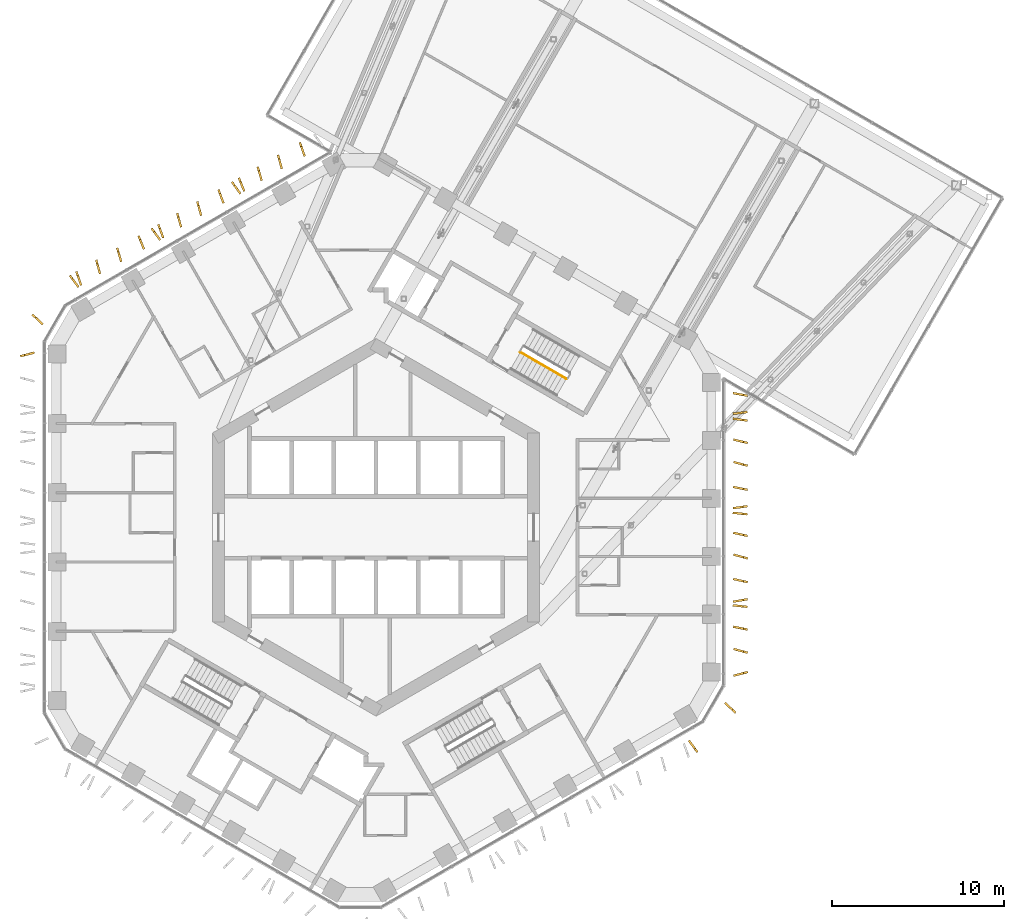
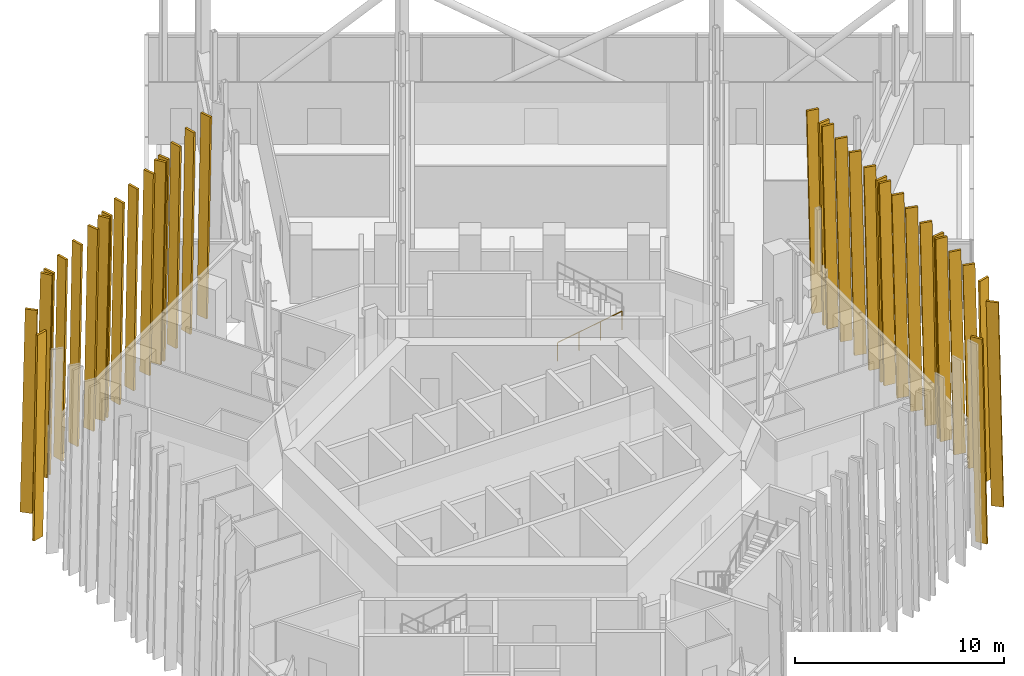
# One storey, part 30 of 31: 35 shading devices, 1 railing.
"""IFC4 building model written with IfcOpenShell, lengths in metres."""

from ifc_helpers import new_model, si_unit, direction, frame, origin, origin_2d, place, context, subcontext, project, spatial, polyline, circle, outline, extrude, material, layer, layer_set, type_object, element, save


model = new_model("IFC4")

# Units and contexts
model_context = context("Model", 3, precision=1e-05, world=origin(), true_north=direction((0.0, 1.0)))
body_context = subcontext(model_context, "Body", "Model", "MODEL_VIEW")
ifc_project = project(units=[si_unit("LENGTHUNIT", "METRE"), si_unit("AREAUNIT", "SQUARE_METRE"), si_unit("VOLUMEUNIT", "CUBIC_METRE"), si_unit("PLANEANGLEUNIT", "RADIAN"), si_unit("MASSUNIT", "GRAM", prefix="KILO")], contexts=[model_context])

# Site, building, storey
site_placement = place(None, origin())
site = spatial("IfcSite", under=ifc_project, at=site_placement, CompositionType="ELEMENT")
building_placement = place(site_placement, origin())
building = spatial("IfcBuilding", under=site, at=building_placement, Name="Ayvan Gate Tower", CompositionType="ELEMENT")
storey_placement = place(building_placement, frame((0.0, 0.0, 135.89990234375)))
storey = spatial("IfcBuildingStorey", under=building, at=storey_placement, Name="L36", CompositionType="ELEMENT", Elevation=135.89990234375)

# Shading devices
ifc_material_1 = material(Name="Bronze anodised aluminium", Category="aluminium")
ifc_layer = layer(ifc_material_1, 0.1201171875)
ifc_layer_set = layer_set([ifc_layer], Name="Bronze anodised aluminium")
shading_device_type = type_object("IfcShadingDeviceType", Name="Bronze fin 600 x 120", PredefinedType="USERDEFINED", material=ifc_layer_set)
shading_device_1_placement = place(storey_placement, frame((-4.1708984375, 21.812255859375, 0.0), z_axis=(0.943132958189, 0.332415714771, 0.000125504458), x_axis=(-0.332415717389, 0.943132965616, 0.0)))
element("IfcShadingDevice", 1, at=shading_device_1_placement, inside=storey, type_object=shading_device_type, Name="Bronze fin FG13.1.2", ObjectType="FIN", PredefinedType="USERDEFINED", context=body_context, shape_type="SweptSolid", body=[
    extrude(outline(polyline([(0.0, 0.0), (0.600040492042501, 0.0), (0.35050599634094926, 11.880127046689134), (-0.2495344957015517, 11.880127046689134), (0.0, 0.0)])), origin(), (0.0, 0.0, -1.0), 0.1201171875),
])
shading_device_2_placement = place(storey_placement, frame((-5.48046875, 21.07763671875, 0.0), z_axis=(0.964829518608, 0.262876368208, 0.000122720215), x_axis=(-0.262876370187, 0.964829525873, 0.0)))
element("IfcShadingDevice", 2, at=shading_device_2_placement, inside=storey, type_object=shading_device_type, Name="Bronze fin FG13.1.4", ObjectType="FIN", PredefinedType="USERDEFINED", context=body_context, shape_type="SweptSolid", body=[
    extrude(outline(polyline([(0.0, 0.0), (0.5999582375456302, -3.3881317890172014e-21), (0.35035177833610626, 11.880127042583853), (-0.2496064592095238, 11.880127042583853), (0.0, 0.0)])), origin(), (0.0, 0.0, -1.0), 0.1201171875),
])
shading_device_3_placement = place(storey_placement, frame((-6.653076171875, 20.393798828125, 0.0), z_axis=(0.959297431634, 0.282397632048, 0.000122778002), x_axis=(-0.282397634178, 0.959297438864, 7.056e-09)))
element("IfcShadingDevice", 3, at=shading_device_3_placement, inside=storey, type_object=shading_device_type, Name="Bronze fin FG13.1.6", ObjectType="FIN", PredefinedType="USERDEFINED", context=body_context, shape_type="SweptSolid", body=[
    extrude(outline(polyline([(0.0, 0.0), (0.5998652396292813, -3.3881317890172014e-21), (0.3503661497608949, 11.880127040196053), (-0.24973329334467148, 11.880127048662603), (0.0, 0.0)])), origin(), (0.0, 0.0, -1.0), 0.1201171875),
])
shading_device_4_placement = place(storey_placement, frame((-7.689208984375, 19.77197265625, 0.0), z_axis=(0.927123593339, 0.374755685523, 0.000137269773), x_axis=(-0.374755689053, 0.927123602074, -1.0464e-08)))
element("IfcShadingDevice", 4, at=shading_device_4_placement, inside=storey, type_object=shading_device_type, Name="Bronze fin FG13.1.8", ObjectType="FIN", PredefinedType="USERDEFINED", context=body_context, shape_type="SweptSolid", body=[
    extrude(outline(polyline([(0.0, 0.0), (0.6001134469590191, 6.776263578034403e-21), (0.3503629709979829, 11.88012706871978), (-0.24952412742537372, 11.880127056162912), (0.0, 0.0)])), origin(), (0.0, 0.0, -1.0), 0.1201171875),
])
shading_device_5_placement = place(storey_placement, frame((-7.97412109375, 19.617919921875, 0.0), z_axis=(0.808031733351, 0.589138947579, 0.000135434571), x_axis=(-0.589138952982, 0.808031740762, 0.0)))
element("IfcShadingDevice", 5, at=shading_device_5_placement, inside=storey, type_object=shading_device_type, Name="Bronze fin FG13.1.9", ObjectType="FIN", PredefinedType="USERDEFINED", context=body_context, shape_type="SweptSolid", body=[
    extrude(outline(polyline([(0.0, 0.0), (0.6000547463554116, 0.0), (0.3504496927023554, 11.880127062080756), (-0.24960505365305616, 11.880127062080756), (0.0, 0.0)])), origin(), (0.0, 0.0, -1.0), 0.1201171875),
])
shading_device_6_placement = place(storey_placement, frame((-8.890625, 19.08349609375, 0.0), z_axis=(0.936988099734, 0.349361252387, 0.000127621008), x_axis=(-0.349361255228, 0.936988107366, -3.3399e-08)))
element("IfcShadingDevice", 6, at=shading_device_6_placement, inside=storey, type_object=shading_device_type, Name="Bronze fin FG13.1.10", ObjectType="FIN", PredefinedType="USERDEFINED", context=body_context, shape_type="SweptSolid", body=[
    extrude(outline(polyline([(0.0, 0.0), (0.6000086836547273, -3.3881317890172014e-21), (0.35023500274818786, 11.880127061569047), (-0.2496302173195918, 11.880127021494442), (0.0, 0.0)])), origin(), (0.0, 0.0, -1.0), 0.1201171875),
])
shading_device_7_placement = place(storey_placement, frame((-10.167724609375, 18.368896484375, 0.0), z_axis=(0.962803240045, 0.27020344522, 0.000138384448), x_axis=(-0.270203447807, 0.962803249264, 0.0)))
element("IfcShadingDevice", 7, at=shading_device_7_placement, inside=storey, type_object=shading_device_type, Name="Bronze fin FG13.1.12", ObjectType="FIN", PredefinedType="USERDEFINED", context=body_context, shape_type="SweptSolid", body=[
    extrude(outline(polyline([(0.0, 0.0), (0.5999530217535013, -3.3881317890172014e-21), (0.35013814432884216, 11.880127066878735), (-0.24981487742465913, 11.880127066878735), (0.0, 0.0)])), origin(), (0.0, 0.0, -1.0), 0.1201171875),
])
shading_device_8_placement = place(storey_placement, frame((-11.333740234375, 17.695556640625, 0.0), z_axis=(0.96280324077, 0.270203445423, 0.000132831676), x_axis=(-0.270203447807, 0.962803249264, 0.0)))
element("IfcShadingDevice", 8, at=shading_device_8_placement, inside=storey, type_object=shading_device_type, Name="Bronze fin FG13.1.14", ObjectType="FIN", PredefinedType="USERDEFINED", context=body_context, shape_type="SweptSolid", body=[
    extrude(outline(polyline([(0.0, 0.0), (0.5999530217535013, -3.3881317890172014e-21), (0.35037320371586955, 11.880127057932992), (-0.2495798180376318, 11.880127057932992), (0.0, 0.0)])), origin(), (0.0, 0.0, -1.0), 0.1201171875),
])
shading_device_9_placement = place(storey_placement, frame((-12.388427734375, 17.06396484375, 0.0), z_axis=(0.936988099734, 0.349361252387, 0.000127621008), x_axis=(-0.349361255228, 0.936988107366, -3.3399e-08)))
element("IfcShadingDevice", 9, at=shading_device_9_placement, inside=storey, type_object=shading_device_type, Name="Bronze fin FG13.1.16", ObjectType="FIN", PredefinedType="USERDEFINED", context=body_context, shape_type="SweptSolid", body=[
    extrude(outline(polyline([(0.0, 0.0), (0.6000086836547273, -3.3881317890172014e-21), (0.35023500274818786, 11.880127061569047), (-0.2496302173195918, 11.880127021494442), (0.0, 0.0)])), origin(), (0.0, 0.0, -1.0), 0.1201171875),
])
shading_device_10_placement = place(storey_placement, frame((-12.6376953125, 16.92529296875, 0.0), z_axis=(0.808031733351, 0.589138947579, 0.000135434571), x_axis=(-0.589138952982, 0.808031740762, 0.0)))
element("IfcShadingDevice", 10, at=shading_device_10_placement, inside=storey, type_object=shading_device_type, Name="Bronze fin FG13.1.17", ObjectType="FIN", PredefinedType="USERDEFINED", context=body_context, shape_type="SweptSolid", body=[
    extrude(outline(polyline([(0.0, 0.0), (0.6000547463554116, 0.0), (0.3504496927023554, 11.880127062080756), (-0.24960505365305616, 11.880127062080756), (0.0, 0.0)])), origin(), (0.0, 0.0, -1.0), 0.1201171875),
])
shading_device_11_placement = place(storey_placement, frame((-13.5185546875, 16.406494140625, 0.0), z_axis=(0.927123595595, 0.374755686435, 0.00011821707), x_axis=(-0.374755689053, 0.927123602074, -9.012e-09)))
element("IfcShadingDevice", 11, at=shading_device_11_placement, inside=storey, type_object=shading_device_type, Name="Bronze fin FG13.1.18", ObjectType="FIN", PredefinedType="USERDEFINED", context=body_context, shape_type="SweptSolid", body=[
    extrude(outline(polyline([(0.0, 0.0), (0.6001134469590192, 3.3881317890172014e-21), (0.3502714951643446, 11.880127039295557), (-0.24961560325901205, 11.880127028481553), (0.0, 0.0)])), origin(), (0.0, 0.0, -1.0), 0.1201171875),
])
shading_device_12_placement = place(storey_placement, frame((-14.813720703125, 15.682373046875, 0.0), z_axis=(0.959281201054, 0.282452759241, 0.000126887701), x_axis=(-0.282452761515, 0.959281208777, 0.0)))
element("IfcShadingDevice", 12, at=shading_device_12_placement, inside=storey, type_object=shading_device_type, Name="Bronze fin FG13.1.20", ObjectType="FIN", PredefinedType="USERDEFINED", context=body_context, shape_type="SweptSolid", body=[
    extrude(outline(polyline([(0.0, 0.0), (0.5998652406197905, 0.0), (0.3501319496685019, 11.880127048762928), (-0.24973329095128857, 11.880127048762928), (0.0, 0.0)])), origin(), (0.0, 0.0, -1.0), 0.1201171875),
])
shading_device_13_placement = place(storey_placement, frame((-16.04150390625, 14.980224609375, 0.0), z_axis=(0.964881107, 0.262686948363, 0.00012850978), x_axis=(-0.262686950529, 0.964881114968, -2.5232e-08)))
element("IfcShadingDevice", 13, at=shading_device_13_placement, inside=storey, type_object=shading_device_type, Name="Bronze fin FG13.1.22", ObjectType="FIN", PredefinedType="USERDEFINED", context=body_context, shape_type="SweptSolid", body=[
    extrude(outline(polyline([(0.0, 0.0), (0.5998940934277807, 0.0), (0.3503511856094991, 11.880127060063684), (-0.249607040374563, 11.880127029789444), (0.0, 0.0)])), origin(), (0.0, 0.0, -1.0), 0.1201171875),
])
shading_device_14_placement = place(storey_placement, frame((-17.1552734375, 14.315673828125, 0.0), z_axis=(0.943132958189, 0.332415714771, 0.000125504458), x_axis=(-0.332415717389, 0.943132965616, 0.0)))
element("IfcShadingDevice", 14, at=shading_device_14_placement, inside=storey, type_object=shading_device_type, Name="Bronze fin FG13.1.24", ObjectType="FIN", PredefinedType="USERDEFINED", context=body_context, shape_type="SweptSolid", body=[
    extrude(outline(polyline([(0.0, 0.0), (0.600040492042501, 0.0), (0.35050599634094926, 11.880127046689134), (-0.2495344957015517, 11.880127046689134), (0.0, 0.0)])), origin(), (0.0, 0.0, -1.0), 0.1201171875),
])
shading_device_15_placement = place(storey_placement, frame((-17.384033203125, 14.189697265625, 0.0), z_axis=(0.79737991674, 0.603477630276, 0.00013467477), x_axis=(-0.603477635746, 0.797379923972, -1.6534e-08)))
element("IfcShadingDevice", 15, at=shading_device_15_placement, inside=storey, type_object=shading_device_type, Name="Bronze fin FG13.1.25", ObjectType="FIN", PredefinedType="USERDEFINED", context=body_context, shape_type="SweptSolid", body=[
    extrude(outline(polyline([(0.0, 0.0), (0.6000541955071905, -6.776263578034403e-21), (0.35025423084050905, 11.880127066652634), (-0.2496052918336804, 11.88012704681376), (0.0, 0.0)])), origin(), (0.0, 0.0, -1.0), 0.1201171875),
])
shading_device_16_placement = place(storey_placement, frame((-19.494140625, 11.998779296875, 0.0), z_axis=(0.690020810459, 0.723789517575, 0.000124026242), x_axis=(-0.723789523142, 0.690020815766, 0.0)))
element("IfcShadingDevice", 16, at=shading_device_16_placement, inside=storey, type_object=shading_device_type, Name="Bronze fin FG13.2.26", ObjectType="FIN", PredefinedType="USERDEFINED", context=body_context, shape_type="SweptSolid", body=[
    extrude(outline(polyline([(0.0, 0.0), (0.6000724768574559, -6.776263578034403e-21), (0.3504084465288136, 11.880127044498082), (-0.24966403032864237, 11.880127044498082), (0.0, 0.0)])), origin(), (0.0, 0.0, -1.0), 0.1201171875),
])
shading_device_17_placement = place(storey_placement, frame((-20.101318359375, 10.1474609375, 0.0), z_axis=(-0.250856245066, 0.968024342273, 0.000130685711), x_axis=(-0.968024350538, -0.250856247211, 2.5737e-08)))
element("IfcShadingDevice", 17, at=shading_device_17_placement, inside=storey, type_object=shading_device_type, Name="Bronze fin FG13.3.27", ObjectType="FIN", PredefinedType="USERDEFINED", context=body_context, shape_type="SweptSolid", body=[
    extrude(outline(polyline([(0.0, 0.0), (0.6000264244286974, 0.0), (0.3502110383430067, 11.880127045560593), (-0.24975414188471146, 11.880127076444504), (0.0, 0.0)])), origin(), (0.0, 0.0, -1.0), 0.1201171875),
])
shading_device_18_placement = place(storey_placement, frame((18.265625, -12.61376953125, 0.0), z_axis=(-0.803939200699, -0.594711479606, 0.000132680055), x_axis=(0.594711484841, -0.803939207776, 0.0)))
element("IfcShadingDevice", 18, at=shading_device_18_placement, inside=storey, type_object=shading_device_type, Name="Bronze fin FG13.7.103", ObjectType="FIN", PredefinedType="USERDEFINED", context=body_context, shape_type="SweptSolid", body=[
    extrude(outline(polyline([(0.0, 0.0), (0.5997689000753704, 6.776263578034403e-21), (0.3500948739568547, 11.880127057693862), (-0.2496740261185157, 11.880127057693862), (0.0, 0.0)])), origin(), (0.0, 0.0, -1.0), 0.1201171875),
])
shading_device_19_placement = place(storey_placement, frame((20.410400390625, -10.40869140625, 0.0), z_axis=(-0.68604979048, -0.727554582074, 0.000122823), x_axis=(0.727554587562, -0.686049795654, 0.0)))
element("IfcShadingDevice", 19, at=shading_device_19_placement, inside=storey, type_object=shading_device_type, Name="Bronze fin FG13.8.104", ObjectType="FIN", PredefinedType="USERDEFINED", context=body_context, shape_type="SweptSolid", body=[
    extrude(outline(polyline([(0.0, 0.0), (0.5999871967857003, 6.776263578034403e-21), (0.35029443542634786, 11.880127042733765), (-0.24969276135935245, 11.880127042733765), (0.0, 0.0)])), origin(), (0.0, 0.0, -1.0), 0.1201171875),
])
shading_device_20_placement = place(storey_placement, frame((21.024169921875, -8.615478515625, 0.0), z_axis=(0.253722048673, -0.967277160697, 0.000128106492), x_axis=(0.967277168633, 0.253722050758, 2.5211e-08)))
element("IfcShadingDevice", 20, at=shading_device_20_placement, inside=storey, type_object=shading_device_type, Name="Bronze fin FG13.9.105", ObjectType="FIN", PredefinedType="USERDEFINED", context=body_context, shape_type="SweptSolid", body=[
    extrude(outline(polyline([(0.0, 0.0), (0.5999854466587461, 0.0), (0.3502257180914049, 11.880127041779442), (-0.24969778470729292, 11.88012707203044), (0.0, 0.0)])), origin(), (0.0, 0.0, -1.0), 0.1201171875),
])
shading_device_21_placement = place(storey_placement, frame((20.99462890625, -7.1884765625, 0.0), z_axis=(-0.257346085072, -0.966319291774, 0.000137272338), x_axis=(0.966319300879, -0.257346087493, 2.6987e-08)))
element("IfcShadingDevice", 21, at=shading_device_21_placement, inside=storey, type_object=shading_device_type, Name="Bronze fin FG13.9.106", ObjectType="FIN", PredefinedType="USERDEFINED", context=body_context, shape_type="SweptSolid", body=[
    extrude(outline(polyline([(0.0, 0.0), (0.6000124675010109, 0.0), (0.35049693649716274, 11.880127055598912), (-0.2495783596384902, 11.880127087985596), (0.0, 0.0)])), origin(), (0.0, 0.0, -1.0), 0.1201171875),
])
shading_device_22_placement = place(storey_placement, frame((20.977783203125, -5.87890625, 0.0), z_axis=(-0.194864236442, -0.980830217249, 0.000119525485), x_axis=(0.980830224256, -0.194864237834, 0.0)))
element("IfcShadingDevice", 22, at=shading_device_22_placement, inside=storey, type_object=shading_device_type, Name="Bronze fin FG13.9.108", ObjectType="FIN", PredefinedType="USERDEFINED", context=body_context, shape_type="SweptSolid", body=[
    extrude(outline(polyline([(0.0, 0.0), (0.6001273536628028, 0.0), (0.3504352019391394, 11.880127037986778), (-0.2496921517236635, 11.880127037986778), (0.0, 0.0)])), origin(), (0.0, 0.0, -1.0), 0.1201171875),
])
shading_device_23_placement = place(storey_placement, frame((20.964111328125, -4.61572265625, 0.0), z_axis=(-0.109046993802, -0.994036589024, 0.000113243361), x_axis=(0.994036595398, -0.109046994501, 0.0)))
element("IfcShadingDevice", 23, at=shading_device_23_placement, inside=storey, type_object=shading_device_type, Name="Bronze fin FG13.9.110", ObjectType="FIN", PredefinedType="USERDEFINED", context=body_context, shape_type="SweptSolid", body=[
    extrude(outline(polyline([(0.0, 0.0), (0.6000136711629395, 0.0), (0.3503311322759983, 11.880127029300725), (-0.2496825388869411, 11.880127029300725), (0.0, 0.0)])), origin(), (0.0, 0.0, -1.0), 0.1201171875),
])
shading_device_24_placement = place(storey_placement, frame((20.99267578125, -4.337646484375, 0.0), z_axis=(0.168619425133, -0.985681223397, 0.000123735153), x_axis=(0.985681230942, 0.168619426427, 2.4807e-08)))
element("IfcShadingDevice", 24, at=shading_device_24_placement, inside=storey, type_object=shading_device_type, Name="Bronze fin FG13.9.111", ObjectType="FIN", PredefinedType="USERDEFINED", context=body_context, shape_type="SweptSolid", body=[
    extrude(outline(polyline([(0.0, 0.0), (0.6001666710302209, 0.0), (0.3504814661673244, 11.880127035375416), (-0.24964403801074145, 11.88012706515062), (0.0, 0.0)])), origin(), (0.0, 0.0, -1.0), 0.1201171875),
])
shading_device_25_placement = place(storey_placement, frame((20.983154296875, -3.11474609375, 0.0), z_axis=(-0.217275095847, -0.976110402503, 0.000121861475), x_axis=(0.976110409751, -0.21727509746, 0.0)))
element("IfcShadingDevice", 25, at=shading_device_25_placement, inside=storey, type_object=shading_device_type, Name="Bronze fin FG13.9.112", ObjectType="FIN", PredefinedType="USERDEFINED", context=body_context, shape_type="SweptSolid", body=[
    extrude(outline(polyline([(0.0, 0.0), (0.6000277771083138, 0.0), (0.35034008161457264, 11.880127041336245), (-0.24968769549374112, 11.880127041336245), (0.0, 0.0)])), origin(), (0.0, 0.0, -1.0), 0.1201171875),
])
shading_device_26_placement = place(storey_placement, frame((20.9951171875, -1.708984375, 0.0), z_axis=(-0.258776759315, -0.965937148763, 0.000116091849), x_axis=(0.965937155273, -0.258776761059, 0.0)))
element("IfcShadingDevice", 26, at=shading_device_26_placement, inside=storey, type_object=shading_device_type, Name="Bronze fin FG13.9.114", ObjectType="FIN", PredefinedType="USERDEFINED", context=body_context, shape_type="SweptSolid", body=[
    extrude(outline(polyline([(0.0, 0.0), (0.6000285221314199, 0.0), (0.3504475258949566, 11.880127033181124), (-0.24958099623646332, 11.880127033181124), (0.0, 0.0)])), origin(), (0.0, 0.0, -1.0), 0.1201171875),
])
shading_device_27_placement = place(storey_placement, frame((20.982177734375, -0.427978515625, 0.0), z_axis=(-0.21341776613, -0.976961022837, 0.000130223773), x_axis=(0.97696103112, -0.213417767943, -2.5882e-08)))
element("IfcShadingDevice", 27, at=shading_device_27_placement, inside=storey, type_object=shading_device_type, Name="Bronze fin FG13.9.116", ObjectType="FIN", PredefinedType="USERDEFINED", context=body_context, shape_type="SweptSolid", body=[
    extrude(outline(polyline([(0.0, 0.0), (0.6000311923555126, 0.0), (0.35026865175354804, 11.880127062923753), (-0.24971043665471282, 11.880127031864664), (0.0, 0.0)])), origin(), (0.0, 0.0, -1.0), 0.1201171875),
])
shading_device_28_placement = place(storey_placement, frame((20.963623046875, 0.76025390625, 0.0), z_axis=(-0.10294773958, -0.994686756534, 0.00013889027), x_axis=(0.994686766128, -0.102947740573, 2.908e-09)))
element("IfcShadingDevice", 28, at=shading_device_28_placement, inside=storey, type_object=shading_device_type, Name="Bronze fin FG13.9.118", ObjectType="FIN", PredefinedType="USERDEFINED", context=body_context, shape_type="SweptSolid", body=[
    extrude(outline(polyline([(0.0, 0.0), (0.6001110648312582, 0.0), (0.3503243347123957, 11.880127066692925), (-0.24954388667010058, 11.880127070183049), (0.0, 0.0)])), origin(), (0.0, 0.0, -1.0), 0.1201171875),
])
shading_device_29_placement = place(storey_placement, frame((20.985107421875, 1.085205078125, 0.0), z_axis=(0.141990922758, -0.989867951488, 0.000128340139), x_axis=(0.98986795964, 0.141990923927, 0.0)))
element("IfcShadingDevice", 29, at=shading_device_29_placement, inside=storey, type_object=shading_device_type, Name="Bronze fin FG13.9.119", ObjectType="FIN", PredefinedType="USERDEFINED", context=body_context, shape_type="SweptSolid", body=[
    extrude(outline(polyline([(0.0, 0.0), (0.6000741157849752, -3.3881317890172014e-21), (0.35044692302583713, 11.880127050964923), (-0.2496271927591379, 11.880127050964923), (0.0, 0.0)])), origin(), (0.0, 0.0, -1.0), 0.1201171875),
])
shading_device_30_placement = place(storey_placement, frame((20.978271484375, 2.240478515625, 0.0), z_axis=(-0.196546519958, -0.980494492422, 0.000125789034), x_axis=(0.980494500179, -0.196546521514, -5.031e-09)))
element("IfcShadingDevice", 30, at=shading_device_30_placement, inside=storey, type_object=shading_device_type, Name="Bronze fin FG13.9.120", ObjectType="FIN", PredefinedType="USERDEFINED", context=body_context, shape_type="SweptSolid", body=[
    extrude(outline(polyline([(0.0, 0.0), (0.5998396535209556, 0.0), (0.3502887820702755, 11.88012704887634), (-0.2497902499907628, 11.880127042839149), (0.0, 0.0)])), origin(), (0.0, 0.0, -1.0), 0.1201171875),
])
shading_device_31_placement = place(storey_placement, frame((20.99462890625, 3.673095703125, 0.0), z_axis=(-0.256776062862, -0.966470918064, 0.000134454757), x_axis=(0.9664709268, -0.256776065183, 0.0)))
element("IfcShadingDevice", 31, at=shading_device_31_placement, inside=storey, type_object=shading_device_type, Name="Bronze fin FG13.9.122", ObjectType="FIN", PredefinedType="USERDEFINED", context=body_context, shape_type="SweptSolid", body=[
    extrude(outline(polyline([(0.0, 0.0), (0.5999497432323829, 0.0), (0.3501988725571957, 11.880127060509956), (-0.24975087067518717, 11.880127060509956), (0.0, 0.0)])), origin(), (0.0, 0.0, -1.0), 0.1201171875),
])
shading_device_32_placement = place(storey_placement, frame((20.987060546875, 4.982177734375, 0.0), z_axis=(-0.23112539109, -0.972923961437, 0.000137314973), x_axis=(0.972923970609, -0.231125393269, 0.0)))
element("IfcShadingDevice", 32, at=shading_device_32_placement, inside=storey, type_object=shading_device_type, Name="Bronze fin FG13.9.124", ObjectType="FIN", PredefinedType="USERDEFINED", context=body_context, shape_type="SweptSolid", body=[
    extrude(outline(polyline([(0.0, 0.0), (0.5999854582772782, 0.0), (0.35016858880705026, 11.880127065127283), (-0.24981686947022802, 11.880127065127283), (0.0, 0.0)])), origin(), (0.0, 0.0, -1.0), 0.1201171875),
])
shading_device_33_placement = place(storey_placement, frame((20.96630859375, 6.220458984375, 0.0), z_axis=(-0.128190847667, -0.991749510365, 0.000123555912), x_axis=(0.991749517935, -0.128190848646, 0.0)))
element("IfcShadingDevice", 33, at=shading_device_33_placement, inside=storey, type_object=shading_device_type, Name="Bronze fin FG13.9.126", ObjectType="FIN", PredefinedType="USERDEFINED", context=body_context, shape_type="SweptSolid", body=[
    extrude(outline(polyline([(0.0, 0.0), (0.599920335090331, 1.6940658945086007e-21), (0.35035871206000824, 11.880127043806388), (-0.24956162303032275, 11.880127043806388), (0.0, 0.0)])), origin(), (0.0, 0.0, -1.0), 0.1201171875),
])
shading_device_34_placement = place(storey_placement, frame((20.979736328125, 6.567138671875, 0.0), z_axis=(0.119626545911, -0.992818952457, 0.000130979063), x_axis=(0.992818960973, 0.119626546937, 0.0)))
element("IfcShadingDevice", 34, at=shading_device_34_placement, inside=storey, type_object=shading_device_type, Name="Bronze fin FG13.9.127", ObjectType="FIN", PredefinedType="USERDEFINED", context=body_context, shape_type="SweptSolid", body=[
    extrude(outline(polyline([(0.0, 0.0), (0.6000118333921185, 0.0), (0.35035833148941425, 11.880127055029849), (-0.24965350190270424, 11.880127055029849), (0.0, 0.0)])), origin(), (0.0, 0.0, -1.0), 0.1201171875),
])
shading_device_35_placement = place(storey_placement, frame((20.974609375, 7.693603515625, 0.0), z_axis=(-0.179816169812, -0.983700223088, 0.000127161212), x_axis=(0.983700231042, -0.179816171266, 0.0)))
element("IfcShadingDevice", 35, at=shading_device_35_placement, inside=storey, type_object=shading_device_type, Name="Bronze fin FG13.9.128", ObjectType="FIN", PredefinedType="USERDEFINED", context=body_context, shape_type="SweptSolid", body=[
    extrude(outline(polyline([(0.0, 0.0), (0.6001137466694547, 0.0), (0.3504106693410086, 11.880127049175671), (-0.24970307732844604, 11.880127049175671), (0.0, 0.0)])), origin(), (0.0, 0.0, -1.0), 0.1201171875),
])

# Railing
ifc_material_2 = material(Name="Stainless steel balustrade", Category="steel")
railing_type = type_object("IfcRailingType", Name="RL-GUARD-1100", PredefinedType="GUARDRAIL", material=ifc_material_2)
railing_placement = place(storey_placement, frame((8.381103515625, 10.16650390625, 0.166748046875)))
element("IfcRailing", 36, at=railing_placement, inside=storey, type_object=railing_type, Name="L36 STS1 stair guard 1", PredefinedType="GUARDRAIL", context=body_context, shape_type="SweptSolid", body=[
    extrude(circle(Radius=0.02392578125, at=origin_2d()), frame((0.0, 0.0, 1.076171875), z_axis=(0.744189839504, -0.429649414936, 0.511451721109), x_axis=(0.499992328818, 0.866029832698, 0.0)), (0.0, 0.0, 1.0), 3.58447265625),
    extrude(circle(Radius=0.02099609375, at=origin_2d()), origin(), (0.0, 0.0, 1.0), 1.052001953125),
    extrude(circle(Radius=0.02099609375, at=origin_2d()), frame((0.88916015625, -0.513427734375, 0.611083984375)), (0.0, 0.0, 1.0), 1.052001953125),
    extrude(circle(Radius=0.02099609375, at=origin_2d()), frame((1.7783203125, -1.026611328125, 1.22216796875)), (0.0, 0.0, 1.0), 1.052001953125),
    extrude(circle(Radius=0.02099609375, at=origin_2d()), frame((2.66748046875, -1.5400390625, 1.833251953125)), (0.0, 0.0, 1.0), 1.052001953125),
])

save(model, "model.ifc")
